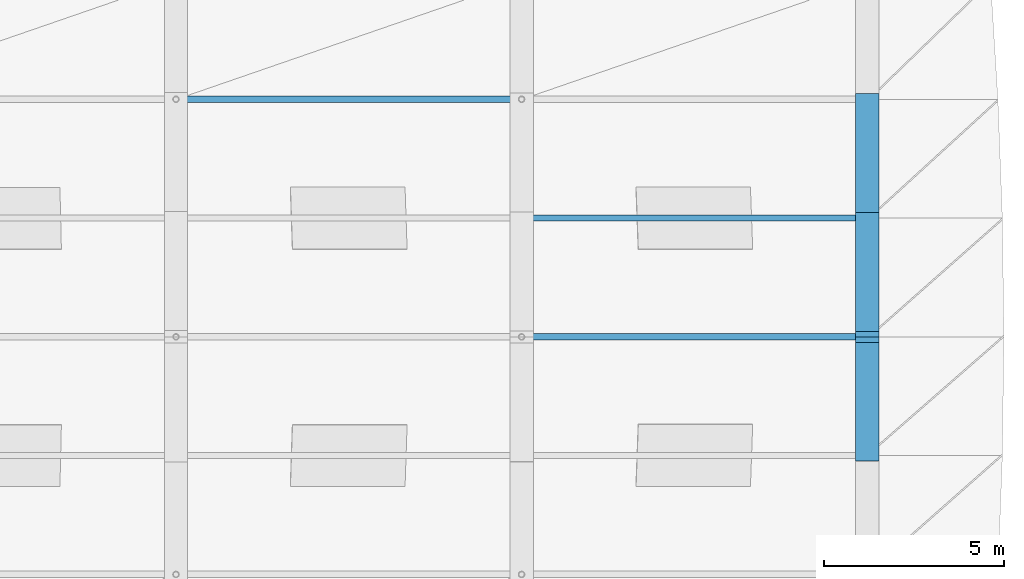
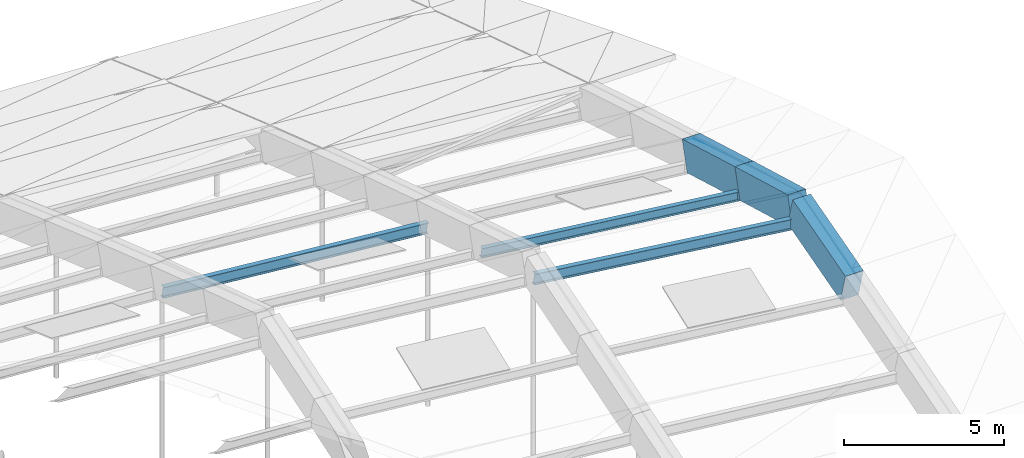
# One storey, part 33 of 43: 3 beams, 3 members.
"""IFC4 building model written with IfcOpenShell, lengths in metres."""

import ifcopenshell
import ifcopenshell.guid

model = None  # the IFC model being written
_history = None  # IfcOwnerHistory: only IFC2X3 demands one
_inside = {}  # id of a spatial element -> (the spatial element, [elements in it])
_under = {}  # id of a project, library or spatial element -> (it, [spatial elements below it])
_declared = {}  # id of a project -> (the project, [libraries it declares])
_typed = {}  # id of a type object -> (the type object, [elements of that type])
_made_of = {}  # id of a material, layer set ... -> (it, [elements and type objects made of it])


def new_model(schema):
    """Start an empty IFC model of exactly this schema.

    Asked for "IFC4X3", IfcOpenShell would pick the latest addendum, in which some entities
    have other attributes; the version numbers below select the first issue.
    IFC2X3 requires an IfcOwnerHistory on every rooted entity: one is made here for all.
    """
    global model, _history
    if schema == "IFC4X3":
        model = ifcopenshell.file(schema_version=(4, 3, 0, 0))
    else:
        model = ifcopenshell.file(schema=schema)
    _inside.clear()
    _under.clear()
    _declared.clear()
    _typed.clear()
    _made_of.clear()
    _history = None
    if model.schema == "IFC2X3":
        org = make("IfcOrganization", Name="unknown")
        user = make(
            "IfcPersonAndOrganization",
            ThePerson=make("IfcPerson", FamilyName="unknown"),
            TheOrganization=org,
        )
        app = make(
            "IfcApplication",
            ApplicationDeveloper=org,
            Version="unknown",
            ApplicationFullName="unknown",
            ApplicationIdentifier="unknown",
        )
        _history = make(
            "IfcOwnerHistory",
            OwningUser=user,
            OwningApplication=app,
            ChangeAction="ADDED",
            CreationDate=0,
        )
    return model


def make(cls, **values):
    """One entity of the class cls with the attributes given. An attribute that is None is left unset."""
    return model.create_entity(
        cls, **{name: value for name, value in values.items() if value is not None}
    )


def rooted(cls, **values):
    """An entity with a GlobalId (a new one), such as an element, a storey or a relation."""
    return make(cls, GlobalId=ifcopenshell.guid.new(), OwnerHistory=_history, **values)


def si_unit(unit_type, name, prefix=None):
    """IfcSIUnit, for example si_unit("LENGTHUNIT", "METRE", prefix="MILLI")."""
    return make("IfcSIUnit", UnitType=unit_type, Prefix=prefix, Name=name)


def assignment(units):
    """IfcUnitAssignment: the units of a project."""
    return None if units is None else make("IfcUnitAssignment", Units=units)


def point(xyz):
    """IfcCartesianPoint."""
    return None if xyz is None else make("IfcCartesianPoint", Coordinates=xyz)


def direction(xyz):
    """IfcDirection."""
    return None if xyz is None else make("IfcDirection", DirectionRatios=xyz)


def frame(location, z_axis=None, x_axis=None):
    """IfcAxis2Placement3D, a coordinate frame: its origin and axes. An axis left out is left unset."""
    return make(
        "IfcAxis2Placement3D",
        Location=point(location),
        Axis=direction(z_axis),
        RefDirection=direction(x_axis),
    )


def frame_2d(location, x_axis=None):
    """IfcAxis2Placement2D, a coordinate frame in the plane: its origin and x axis."""
    return make(
        "IfcAxis2Placement2D", Location=point(location), RefDirection=direction(x_axis)
    )


def origin():
    """The frame at (0, 0, 0) with its axes left unset."""
    return frame((0.0, 0.0, 0.0))


def origin_2d():
    """The frame at (0, 0) in the plane with its x axis left unset."""
    return frame_2d((0.0, 0.0))


def place(relative_to, where):
    """IfcLocalPlacement: puts the frame where relative to a parent placement (None: the world)."""
    return make(
        "IfcLocalPlacement", PlacementRelTo=relative_to, RelativePlacement=where
    )


def context(
    kind, dimensions, precision=None, world=None, true_north=None, identifier=None
):
    """IfcGeometricRepresentationContext, for example the 3D "Model" context."""
    return make(
        "IfcGeometricRepresentationContext",
        ContextIdentifier=identifier,
        ContextType=kind,
        CoordinateSpaceDimension=dimensions,
        Precision=precision,
        WorldCoordinateSystem=world,
        TrueNorth=true_north,
    )


def subcontext(parent, identifier, kind, view, scale=None):
    """IfcGeometricRepresentationSubContext, for example "Body" below "Model"."""
    return make(
        "IfcGeometricRepresentationSubContext",
        ContextIdentifier=identifier,
        ContextType=kind,
        ParentContext=parent,
        TargetScale=scale,
        TargetView=view,
    )


def project(units=None, contexts=None):
    """IfcProject with its units and contexts."""
    return rooted(
        "IfcProject",
        Name="project",
        RepresentationContexts=contexts,
        UnitsInContext=assignment(units),
    )


def spatial(cls, under=None, at=None, **own):
    """A site, building, storey or space (cls), placed at a placement, below another one or the project."""
    s = rooted(cls, ObjectPlacement=at, **own)
    if under is not None:
        _under.setdefault(under.id(), (under, []))[1].append(s)
    return s


def profile(cls, at=None, kind="AREA", **sizes):
    """A parametric profile (cls). Its sizes go by their IFC names, for example OverallWidth=200.0."""
    return make(cls, ProfileType=kind, Position=at, **sizes)


def rectangle(**sizes):
    """IfcRectangleProfileDef."""
    return profile("IfcRectangleProfileDef", **sizes)


def i_section(**sizes):
    """IfcIShapeProfileDef."""
    return profile("IfcIShapeProfileDef", **sizes)


def extrude(swept, where, along, depth):
    """IfcExtrudedAreaSolid: the profile swept, set in the frame where, extruded along a direction by depth."""
    return make(
        "IfcExtrudedAreaSolid",
        SweptArea=swept,
        Position=where,
        ExtrudedDirection=direction(along),
        Depth=depth,
    )


def shape(context_of_items, identifier, shape_type, items):
    """IfcShapeRepresentation: the items that make up one representation, for example the "Body"."""
    return make(
        "IfcShapeRepresentation",
        ContextOfItems=context_of_items,
        RepresentationIdentifier=identifier,
        RepresentationType=shape_type,
        Items=items,
    )


def material(Name=None, Category=None):
    """IfcMaterial."""
    return make("IfcMaterial", Name=Name, Category=Category)


def material_profile(
    of_material, cross_section, Name=None, Category=None, Priority=None
):
    """IfcMaterialProfile: a cross section and its material."""
    return make(
        "IfcMaterialProfile",
        Name=Name,
        Material=of_material,
        Profile=cross_section,
        Priority=Priority,
        Category=Category,
    )


def profile_set(profiles, Name=None, composite=None):
    """IfcMaterialProfileSet."""
    return make(
        "IfcMaterialProfileSet",
        Name=Name,
        MaterialProfiles=profiles,
        CompositeProfile=composite,
    )


def made_of(thing, what):
    """Note that an element or type object is made of a material, layer set ...; save() writes the relation."""
    if what is not None:
        _made_of.setdefault(what.id(), (what, []))[1].append(thing)
    return thing


def type_object(cls, material=None, **own):
    """A type object (cls), such as IfcWallType, which elements share."""
    return made_of(rooted(cls, **own), material)


def element(
    cls,
    number,
    at=None,
    inside=None,
    cuts=None,
    type_object=None,
    material=None,
    context=None,
    identifier="Body",
    shape_type=None,
    held_by="IfcProductDefinitionShape",
    body=None,
    shapes=None,
    **own,
):
    """One element of the class cls, such as IfcWall. Its Tag is "e" and its number.

    at: its placement. inside: the storey or other place that contains it. cuts: it is an
    opening in that element (IfcRelVoidsElement). A single representation is given by context,
    identifier, shape_type and body (its items); several are given by shapes. held_by: the class
    of the entity that holds the representations. save() writes the other relations.
    """
    e = rooted(cls, Tag="e%d" % number, ObjectPlacement=at, **own)
    if body is not None:
        shapes = [shape(context, identifier, shape_type, body)]
    if shapes is not None:
        e.Representation = make(held_by, Representations=shapes)
    if inside is not None:
        _inside.setdefault(inside.id(), (inside, []))[1].append(e)
    if cuts is not None:
        rooted(
            "IfcRelVoidsElement", RelatingBuildingElement=cuts, RelatedOpeningElement=e
        )
    if type_object is not None:
        _typed.setdefault(type_object.id(), (type_object, []))[1].append(e)
    return made_of(e, material)


def aggregate(whole, parts):
    """IfcRelAggregates: a whole, such as a stair, and the parts it consists of."""
    return rooted("IfcRelAggregates", RelatingObject=whole, RelatedObjects=parts)


def save(model, path):
    """Write the relations noted so far, then the file.

    IfcRelAggregates (storeys below a building ...), IfcRelContainedInSpatialStructure (elements
    in a storey), IfcRelDefinesByType, IfcRelAssociatesMaterial and IfcRelDeclares: one each for
    every whole, place, type object, material and project.
    """
    for whole, parts in _under.values():
        aggregate(whole, parts)
    for where, things in _inside.values():
        rooted(
            "IfcRelContainedInSpatialStructure",
            RelatedElements=things,
            RelatingStructure=where,
        )
    for kind, things in _typed.values():
        rooted("IfcRelDefinesByType", RelatedObjects=things, RelatingType=kind)
    for what, things in _made_of.values():
        rooted("IfcRelAssociatesMaterial", RelatedObjects=things, RelatingMaterial=what)
    for by, libraries in _declared.values():
        rooted("IfcRelDeclares", RelatingContext=by, RelatedDefinitions=libraries)
    model.write(path)


model = new_model("IFC4")

# Units and contexts
model_context = context("Model", 3, precision=1e-05, world=origin(), true_north=direction((0.0, 1.0)))
body_context = subcontext(model_context, "Body", "Model", "MODEL_VIEW")
ifc_project = project(units=[si_unit("LENGTHUNIT", "METRE"), si_unit("AREAUNIT", "SQUARE_METRE"), si_unit("VOLUMEUNIT", "CUBIC_METRE"), si_unit("PLANEANGLEUNIT", "RADIAN"), si_unit("MASSUNIT", "GRAM", prefix="KILO")], contexts=[model_context])

# Site, building, storey
site_placement = place(None, origin())
site = spatial("IfcSite", under=ifc_project, at=site_placement, CompositionType="ELEMENT")
building_placement = place(site_placement, origin())
building = spatial("IfcBuilding", under=site, at=building_placement, Name="Chalmorin Arch Market", CompositionType="ELEMENT")
storey_placement = place(building_placement, frame((0.0, 0.0, 18.60009765625)))
storey = spatial("IfcBuildingStorey", under=building, at=storey_placement, Name="RF", CompositionType="ELEMENT", Elevation=18.60009765625)

# Beams
ifc_material_1 = material(Name="Concrete C50/60", Category="concrete")
ifc_material_profile_1 = material_profile(ifc_material_1, rectangle(XDim=0.64990234375, YDim=1.14990234375, at=origin_2d()), Name="RC650X1150")
ifc_profile_set_1 = profile_set([ifc_material_profile_1], Name="Concrete C50/60")
beam_type = type_object("IfcBeamType", Name="ArchRibChord-650x1150", PredefinedType="BEAM", material=ifc_profile_set_1)
beam_1_placement = place(storey_placement, frame((124.800048828125, 29.10009765625, 3.926025390625), z_axis=(0.0, 0.962972898626, 0.26959821311), x_axis=(-1.0, 0.0, 0.0)))
element("IfcBeam", 1, at=beam_1_placement, inside=storey, type_object=beam_type, Name="AR-01-1744", PredefinedType="BEAM", context=body_context, shape_type="SweptSolid", body=[
    extrude(rectangle(XDim=0.64990234375, YDim=1.14990234375, at=origin_2d()), origin(), (0.0, 0.0, 1.0), 3.4267578125),
])
beam_2_placement = place(storey_placement, frame((124.800048828125, 32.39990234375, 4.849853515625), z_axis=(0.0, 0.962978076544, -0.269579717514), x_axis=(-1.0, 0.0, 0.0)))
element("IfcBeam", 2, at=beam_2_placement, inside=storey, type_object=beam_type, Name="AR-01-1745", PredefinedType="BEAM", context=body_context, shape_type="SweptSolid", body=[
    extrude(rectangle(XDim=0.64990234375, YDim=1.14990234375, at=origin_2d()), origin(), (0.0, 0.0, 1.0), 3.427001953125),
])
beam_3_placement = place(storey_placement, frame((124.800048828125, 35.699951171875, 3.926025390625), z_axis=(0.0, 0.961034131842, -0.276429733269), x_axis=(-1.0, 0.0, 0.0)))
element("IfcBeam", 3, at=beam_3_placement, inside=storey, type_object=beam_type, Name="AR-01-1746", PredefinedType="BEAM", context=body_context, shape_type="SweptSolid", body=[
    extrude(rectangle(XDim=0.64990234375, YDim=1.14990234375, at=origin_2d()), origin(), (0.0, 0.0, 1.0), 3.433837890625),
])

# Members
ifc_material_2 = material(Name="Steel A992 Grade 50", Category="steel")
ifc_material_profile_2 = material_profile(ifc_material_2, i_section(OverallWidth=0.1708984375, OverallDepth=0.35107421875, WebThickness=0.0068359375, FlangeThickness=0.009765625, FilletRadius=0.014892578125, at=origin_2d()), Name="W14X30")
ifc_profile_set_2 = profile_set([ifc_material_profile_2], Name="Steel A992 Grade 50")
member_type_1 = type_object("IfcMemberType", Name="RoofSteelPurlin-W14X30", PredefinedType="PURLIN", material=ifc_profile_set_2)
member_1_placement = place(storey_placement, frame((115.219970703125, 35.699951171875, 4.555908203125), z_axis=(0.993328480466, 0.0, -0.115319252061), x_axis=(0.0, 1.0, 0.0)))
element("IfcMember", 4, at=member_1_placement, inside=storey, type_object=member_type_1, Name="PR-W14-0324", PredefinedType="PURLIN", context=body_context, shape_type="SweptSolid", body=[
    extrude(i_section(OverallWidth=0.1708984375, OverallDepth=0.35107421875, WebThickness=0.0068359375, FlangeThickness=0.009765625, FilletRadius=0.014892578125, at=origin_2d()), origin(), (0.0, 0.0, 1.0), 9.624267578125),
])
ifc_material_profile_3 = material_profile(ifc_material_2, i_section(OverallWidth=0.178955078125, OverallDepth=0.409912109375, WebThickness=0.0087890625, FlangeThickness=0.014404296875, FilletRadius=0.01806640625, at=origin_2d()), Name="W16X45")
ifc_profile_set_3 = profile_set([ifc_material_profile_3], Name="Steel A992 Grade 50")
member_type_2 = type_object("IfcMemberType", Name="RoofSteelPurlin-W16X45", PredefinedType="PURLIN", material=ifc_profile_set_3)
member_2_placement = place(storey_placement, frame((105.6201171875, 39.0, 4.402587890625), z_axis=(0.995844282338, 0.0, -0.091072308273), x_axis=(0.0, 1.0, 0.0)))
element("IfcMember", 5, at=member_2_placement, inside=storey, type_object=member_type_2, Name="PR-W16-0308", PredefinedType="PURLIN", context=body_context, shape_type="SweptSolid", body=[
    extrude(i_section(OverallWidth=0.178955078125, OverallDepth=0.409912109375, WebThickness=0.0087890625, FlangeThickness=0.014404296875, FilletRadius=0.01806640625, at=origin_2d()), origin(), (0.0, 0.0, 1.0), 9.599609375),
])
member_3_placement = place(storey_placement, frame((115.219970703125, 32.39990234375, 5.55615234375), z_axis=(0.992388985789, 0.0, -0.12314260386), x_axis=(0.0, 1.0, 0.0)))
element("IfcMember", 6, at=member_3_placement, inside=storey, type_object=member_type_2, Name="PR-W16-0323", PredefinedType="PURLIN", context=body_context, shape_type="SweptSolid", body=[
    extrude(i_section(OverallWidth=0.178955078125, OverallDepth=0.409912109375, WebThickness=0.0087890625, FlangeThickness=0.014404296875, FilletRadius=0.01806640625, at=origin_2d()), origin(), (0.0, 0.0, 1.0), 9.63330078125),
])

save(model, "model.ifc")
